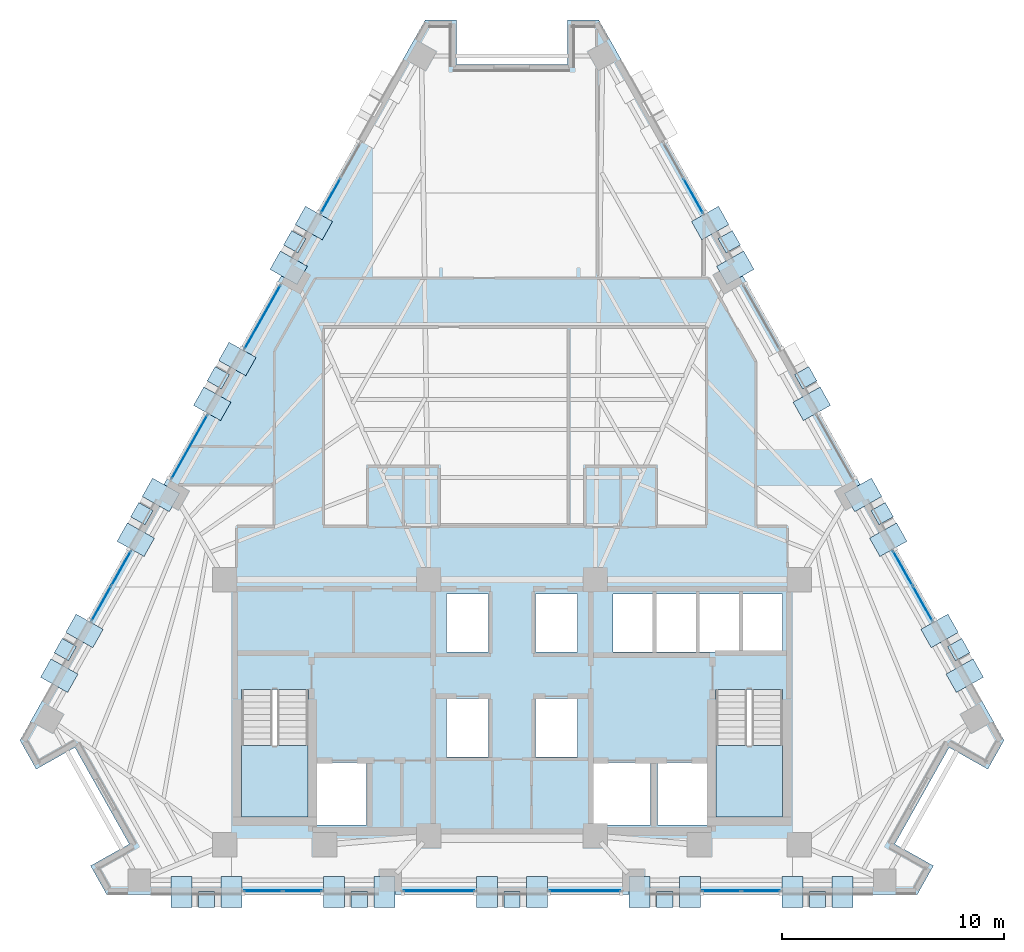
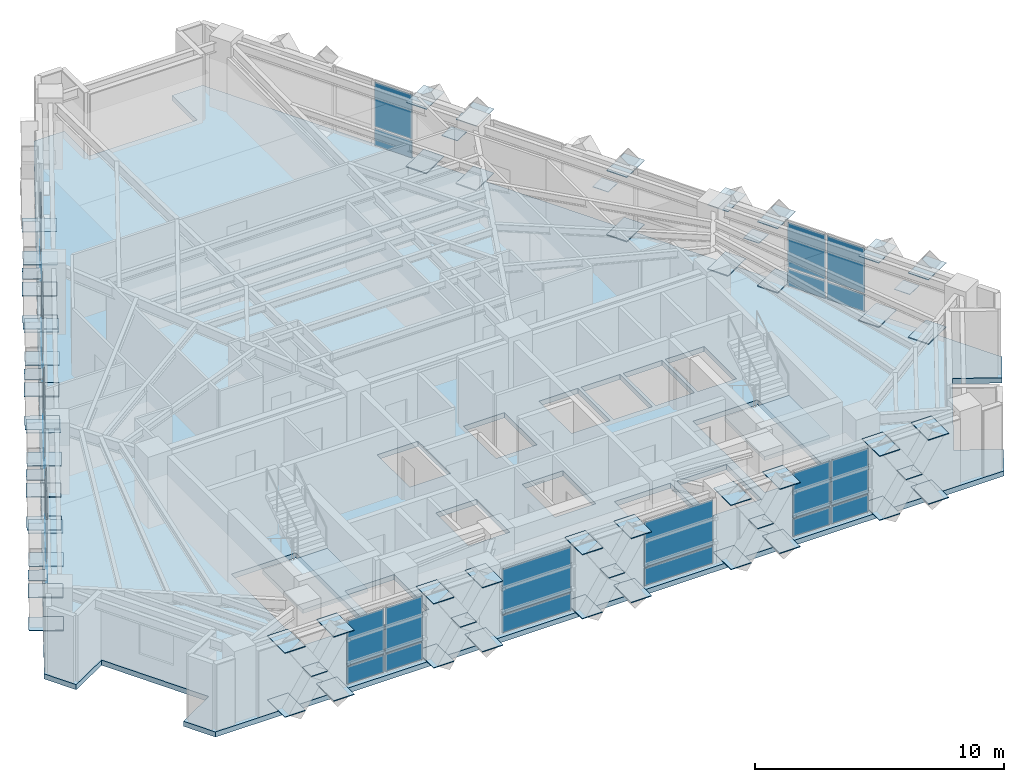
# One storey, part 6 of 14: 91 plates, 3 slabs, 12 elements without a shape of their own.
"""IFC4 building model written with IfcOpenShell, lengths in metres."""

from ifc_helpers import new_model, si_unit, direction, frame, origin, origin_2d, place, context, subcontext, project, spatial, polyline, rectangle, outline, extrude, material, layer, layer_set, type_object, element, aggregate, save


model = new_model("IFC4")

# Units and contexts
model_context = context("Model", 3, precision=1e-05, world=origin(), true_north=direction((0.0, 1.0)))
body_context = subcontext(model_context, "Body", "Model", "MODEL_VIEW")
ifc_project = project(units=[si_unit("LENGTHUNIT", "METRE"), si_unit("AREAUNIT", "SQUARE_METRE"), si_unit("VOLUMEUNIT", "CUBIC_METRE"), si_unit("PLANEANGLEUNIT", "RADIAN"), si_unit("MASSUNIT", "GRAM", prefix="KILO")], contexts=[model_context])

# Site, building, storey
site_placement = place(None, origin())
site = spatial("IfcSite", under=ifc_project, at=site_placement, CompositionType="ELEMENT")
building_placement = place(site_placement, origin())
building = spatial("IfcBuilding", under=site, at=building_placement, Name="Quenlor Broadcast Tower", CompositionType="ELEMENT")
storey_placement = place(building_placement, frame((0.0, 0.0, 154.5)))
storey = spatial("IfcBuildingStorey", under=building, at=storey_placement, Name="L42", CompositionType="ELEMENT", Elevation=154.5)

# Curtain wall, plates
ifc_material_1 = material(Name="Architectural Terracotta and Low-E Glazing", Category="masonry")
curtain_wall_type = type_object("IfcCurtainWallType", Name="Unitised Terracotta Curtain Wall System Z3", PredefinedType="NOTDEFINED", material=ifc_material_1)
curtain_wall_1_placement = place(storey_placement, origin())
curtain_wall_1 = element("IfcCurtainWall", 1, at=curtain_wall_1_placement, inside=storey, type_object=curtain_wall_type, Name="L42 Curtain Wall CW3 (L42-SA-G1)", PredefinedType="NOTDEFINED")
ifc_material_2 = material(Name="Double Glazed Low-E Solar Glass", Category="glass")
ifc_layer_1 = layer(ifc_material_2, 0.028076171875)
ifc_layer_set_1 = layer_set([ifc_layer_1], Name="CW3 Double Glazed Vision Panel 28")
plate_type_1 = type_object("IfcPlateType", Name="CW3 Double Glazed Vision Panel 28", PredefinedType="CURTAIN_PANEL", material=ifc_layer_set_1)
plate_1_placement = place(storey_placement, frame((11.222900390625, -18.824951171875, 0.06982421875), z_axis=(0.0, 0.0, 1.0), x_axis=(-1.0, 0.0, 0.0)))
plate_1 = element("IfcPlate", 2, at=plate_1_placement, type_object=plate_type_1, Name="CW3 panel 1.1", PredefinedType="CURTAIN_PANEL", context=body_context, shape_type="SweptSolid", body=[
    extrude(rectangle(XDim=1.7119140625, YDim=0.028076171875, at=origin_2d()), origin(), (0.0, 0.0, 1.0), 0.844970703125),
])
plate_2_placement = place(storey_placement, frame((11.222900390625, -18.824951171875, 0.98486328125), z_axis=(0.0, 0.0, 1.0), x_axis=(-1.0, 0.0, 0.0)))
plate_2 = element("IfcPlate", 3, at=plate_2_placement, type_object=plate_type_1, Name="CW3 panel 1.2", PredefinedType="CURTAIN_PANEL", context=body_context, shape_type="SweptSolid", body=[
    extrude(rectangle(XDim=1.7119140625, YDim=0.028076171875, at=origin_2d()), origin(), (0.0, 0.0, 1.0), 2.195068359375),
])
plate_3_placement = place(storey_placement, frame((9.44091796875, -18.824951171875, 0.06982421875), z_axis=(0.0, 0.0, 1.0), x_axis=(-1.0, 0.0, 0.0)))
plate_3 = element("IfcPlate", 4, at=plate_3_placement, type_object=plate_type_1, Name="CW3 panel 2.1", PredefinedType="CURTAIN_PANEL", context=body_context, shape_type="SweptSolid", body=[
    extrude(rectangle(XDim=1.7119140625, YDim=0.028076171875, at=origin_2d()), origin(), (0.0, 0.0, 1.0), 0.844970703125),
])
plate_4_placement = place(storey_placement, frame((9.44091796875, -18.824951171875, 0.98486328125), z_axis=(0.0, 0.0, 1.0), x_axis=(-1.0, 0.0, 0.0)))
plate_4 = element("IfcPlate", 5, at=plate_4_placement, type_object=plate_type_1, Name="CW3 panel 2.2", PredefinedType="CURTAIN_PANEL", context=body_context, shape_type="SweptSolid", body=[
    extrude(rectangle(XDim=1.7119140625, YDim=0.028076171875, at=origin_2d()), origin(), (0.0, 0.0, 1.0), 2.195068359375),
])
aggregate(curtain_wall_1, [plate_1, plate_2, plate_3, plate_4])

curtain_wall_2_placement = place(storey_placement, origin())
curtain_wall_2 = element("IfcCurtainWall", 6, at=curtain_wall_2_placement, inside=storey, type_object=curtain_wall_type, Name="L42 Curtain Wall CW3 (L42-SC-G1)", PredefinedType="NOTDEFINED")
plate_5_placement = place(storey_placement, frame((-9.44091796875, -18.824951171875, 0.06982421875), z_axis=(0.0, 0.0, 1.0), x_axis=(-1.0, 0.0, 0.0)))
plate_5 = element("IfcPlate", 7, at=plate_5_placement, type_object=plate_type_1, Name="CW3 panel 1.1", PredefinedType="CURTAIN_PANEL", context=body_context, shape_type="SweptSolid", body=[
    extrude(rectangle(XDim=1.7119140625, YDim=0.028076171875, at=origin_2d()), origin(), (0.0, 0.0, 1.0), 0.844970703125),
])
plate_6_placement = place(storey_placement, frame((-9.44091796875, -18.824951171875, 0.98486328125), z_axis=(0.0, 0.0, 1.0), x_axis=(-1.0, 0.0, 0.0)))
plate_6 = element("IfcPlate", 8, at=plate_6_placement, type_object=plate_type_1, Name="CW3 panel 1.2", PredefinedType="CURTAIN_PANEL", context=body_context, shape_type="SweptSolid", body=[
    extrude(rectangle(XDim=1.7119140625, YDim=0.028076171875, at=origin_2d()), origin(), (0.0, 0.0, 1.0), 2.195068359375),
])
plate_7_placement = place(storey_placement, frame((-11.222900390625, -18.824951171875, 0.06982421875), z_axis=(0.0, 0.0, 1.0), x_axis=(-1.0, 0.0, 0.0)))
plate_7 = element("IfcPlate", 9, at=plate_7_placement, type_object=plate_type_1, Name="CW3 panel 2.1", PredefinedType="CURTAIN_PANEL", context=body_context, shape_type="SweptSolid", body=[
    extrude(rectangle(XDim=1.7119140625, YDim=0.028076171875, at=origin_2d()), origin(), (0.0, 0.0, 1.0), 0.844970703125),
])
plate_8_placement = place(storey_placement, frame((-11.222900390625, -18.824951171875, 0.98486328125), z_axis=(0.0, 0.0, 1.0), x_axis=(-1.0, 0.0, 0.0)))
plate_8 = element("IfcPlate", 10, at=plate_8_placement, type_object=plate_type_1, Name="CW3 panel 2.2", PredefinedType="CURTAIN_PANEL", context=body_context, shape_type="SweptSolid", body=[
    extrude(rectangle(XDim=1.7119140625, YDim=0.028076171875, at=origin_2d()), origin(), (0.0, 0.0, 1.0), 2.195068359375),
])
aggregate(curtain_wall_2, [plate_5, plate_6, plate_7, plate_8])

curtain_wall_3_placement = place(storey_placement, origin())
curtain_wall_3 = element("IfcCurtainWall", 11, at=curtain_wall_3_placement, inside=storey, type_object=curtain_wall_type, Name="L42 Curtain Wall CW3 (L42-S-G1)", PredefinedType="NOTDEFINED")
plate_9_placement = place(storey_placement, frame((3.2939453125, -18.824951171875, 0.06982421875), z_axis=(0.0, 0.0, 1.0), x_axis=(-1.0, 0.0, 0.0)))
plate_9 = element("IfcPlate", 12, at=plate_9_placement, type_object=plate_type_1, Name="CW3 panel 1.1", PredefinedType="CURTAIN_PANEL", context=body_context, shape_type="SweptSolid", body=[
    extrude(rectangle(XDim=3.194091796875, YDim=0.028076171875, at=origin_2d()), origin(), (0.0, 0.0, 1.0), 0.844970703125),
])
plate_10_placement = place(storey_placement, frame((3.2939453125, -18.824951171875, 0.98486328125), z_axis=(0.0, 0.0, 1.0), x_axis=(-1.0, 0.0, 0.0)))
plate_10 = element("IfcPlate", 13, at=plate_10_placement, type_object=plate_type_1, Name="CW3 panel 1.2", PredefinedType="CURTAIN_PANEL", context=body_context, shape_type="SweptSolid", body=[
    extrude(rectangle(XDim=3.194091796875, YDim=0.028076171875, at=origin_2d()), origin(), (0.0, 0.0, 1.0), 2.195068359375),
])
aggregate(curtain_wall_3, [plate_9, plate_10])

curtain_wall_4_placement = place(storey_placement, origin())
curtain_wall_4 = element("IfcCurtainWall", 14, at=curtain_wall_4_placement, inside=storey, type_object=curtain_wall_type, Name="L42 Curtain Wall CW3 (L42-S-G2)", PredefinedType="NOTDEFINED")
plate_11_placement = place(storey_placement, frame((-3.2939453125, -18.824951171875, 0.06982421875), z_axis=(0.0, 0.0, 1.0), x_axis=(-1.0, 0.0, 0.0)))
plate_11 = element("IfcPlate", 15, at=plate_11_placement, type_object=plate_type_1, Name="CW3 panel 1.1", PredefinedType="CURTAIN_PANEL", context=body_context, shape_type="SweptSolid", body=[
    extrude(rectangle(XDim=3.194091796875, YDim=0.028076171875, at=origin_2d()), origin(), (0.0, 0.0, 1.0), 0.844970703125),
])
plate_12_placement = place(storey_placement, frame((-3.2939453125, -18.824951171875, 0.98486328125), z_axis=(0.0, 0.0, 1.0), x_axis=(-1.0, 0.0, 0.0)))
plate_12 = element("IfcPlate", 16, at=plate_12_placement, type_object=plate_type_1, Name="CW3 panel 1.2", PredefinedType="CURTAIN_PANEL", context=body_context, shape_type="SweptSolid", body=[
    extrude(rectangle(XDim=3.194091796875, YDim=0.028076171875, at=origin_2d()), origin(), (0.0, 0.0, 1.0), 2.195068359375),
])
aggregate(curtain_wall_4, [plate_11, plate_12])

curtain_wall_5_placement = place(storey_placement, origin())
curtain_wall_5 = element("IfcCurtainWall", 17, at=curtain_wall_5_placement, inside=storey, type_object=curtain_wall_type, Name="L42 Curtain Wall CW3 (L42-NEA-G1)", PredefinedType="NOTDEFINED")
plate_13_placement = place(storey_placement, frame((8.174560546875, 12.5107421875, 0.06982421875), z_axis=(0.0, 0.0, 1.0), x_axis=(0.490270139949, -0.871570530637, 0.0)))
plate_13 = element("IfcPlate", 18, at=plate_13_placement, type_object=plate_type_1, Name="CW3 panel 2.1", PredefinedType="CURTAIN_PANEL", context=body_context, shape_type="SweptSolid", body=[
    extrude(rectangle(XDim=1.761962890625, YDim=0.028076171875, at=origin_2d()), origin(), (0.0, 0.0, 1.0), 0.844970703125),
])
plate_14_placement = place(storey_placement, frame((8.174560546875, 12.5107421875, 0.98486328125), z_axis=(0.0, 0.0, 1.0), x_axis=(0.490270139949, -0.871570530637, 0.0)))
plate_14 = element("IfcPlate", 19, at=plate_14_placement, type_object=plate_type_1, Name="CW3 panel 2.2", PredefinedType="CURTAIN_PANEL", context=body_context, shape_type="SweptSolid", body=[
    extrude(rectangle(XDim=1.761962890625, YDim=0.028076171875, at=origin_2d()), origin(), (0.0, 0.0, 1.0), 2.195068359375),
])
aggregate(curtain_wall_5, [plate_13, plate_14])

curtain_wall_6_placement = place(storey_placement, origin())
curtain_wall_6 = element("IfcCurtainWall", 20, at=curtain_wall_6_placement, inside=storey, type_object=curtain_wall_type, Name="L42 Curtain Wall CW3 (L42-NEC-G1)", PredefinedType="NOTDEFINED")
plate_15_placement = place(storey_placement, frame((17.62060546875, -4.2822265625, 0.06982421875), z_axis=(0.0, 0.0, 1.0), x_axis=(0.490258696743, -0.871576967495, 0.0)))
plate_15 = element("IfcPlate", 21, at=plate_15_placement, type_object=plate_type_1, Name="CW3 panel 1.1", PredefinedType="CURTAIN_PANEL", context=body_context, shape_type="SweptSolid", body=[
    extrude(rectangle(XDim=1.761962890625, YDim=0.028076171875, at=origin_2d()), origin(), (0.0, 0.0, 1.0), 0.844970703125),
])
plate_16_placement = place(storey_placement, frame((17.62060546875, -4.2822265625, 0.98486328125), z_axis=(0.0, 0.0, 1.0), x_axis=(0.490258696743, -0.871576967495, 0.0)))
plate_16 = element("IfcPlate", 22, at=plate_16_placement, type_object=plate_type_1, Name="CW3 panel 1.2", PredefinedType="CURTAIN_PANEL", context=body_context, shape_type="SweptSolid", body=[
    extrude(rectangle(XDim=1.761962890625, YDim=0.028076171875, at=origin_2d()), origin(), (0.0, 0.0, 1.0), 2.195068359375),
])
plate_17_placement = place(storey_placement, frame((18.518798828125, -5.879150390625, 0.06982421875), z_axis=(0.0, 0.0, 1.0), x_axis=(0.490258696743, -0.871576967495, 0.0)))
plate_17 = element("IfcPlate", 23, at=plate_17_placement, type_object=plate_type_1, Name="CW3 panel 2.1", PredefinedType="CURTAIN_PANEL", context=body_context, shape_type="SweptSolid", body=[
    extrude(rectangle(XDim=1.761962890625, YDim=0.028076171875, at=origin_2d()), origin(), (0.0, 0.0, 1.0), 0.844970703125),
])
plate_18_placement = place(storey_placement, frame((18.518798828125, -5.879150390625, 0.98486328125), z_axis=(0.0, 0.0, 1.0), x_axis=(0.490258696743, -0.871576967495, 0.0)))
plate_18 = element("IfcPlate", 24, at=plate_18_placement, type_object=plate_type_1, Name="CW3 panel 2.2", PredefinedType="CURTAIN_PANEL", context=body_context, shape_type="SweptSolid", body=[
    extrude(rectangle(XDim=1.761962890625, YDim=0.028076171875, at=origin_2d()), origin(), (0.0, 0.0, 1.0), 2.195068359375),
])
aggregate(curtain_wall_6, [plate_15, plate_16, plate_17, plate_18])

curtain_wall_7_placement = place(storey_placement, origin())
curtain_wall_7 = element("IfcCurtainWall", 25, at=curtain_wall_7_placement, inside=storey, type_object=curtain_wall_type, Name="L42 Curtain Wall CW3 (L42-NWA-G1)", PredefinedType="NOTDEFINED")
plate_19_placement = place(storey_placement, frame((-18.518798828125, -5.879150390625, 0.06982421875), z_axis=(0.0, 0.0, 1.0), x_axis=(0.490258696743, 0.871576967495, 0.0)))
plate_19 = element("IfcPlate", 26, at=plate_19_placement, type_object=plate_type_1, Name="CW3 panel 1.1", PredefinedType="CURTAIN_PANEL", context=body_context, shape_type="SweptSolid", body=[
    extrude(rectangle(XDim=1.761962890625, YDim=0.028076171875, at=origin_2d()), origin(), (0.0, 0.0, 1.0), 0.844970703125),
])
plate_20_placement = place(storey_placement, frame((-18.518798828125, -5.879150390625, 0.98486328125), z_axis=(0.0, 0.0, 1.0), x_axis=(0.490258696743, 0.871576967495, 0.0)))
plate_20 = element("IfcPlate", 27, at=plate_20_placement, type_object=plate_type_1, Name="CW3 panel 1.2", PredefinedType="CURTAIN_PANEL", context=body_context, shape_type="SweptSolid", body=[
    extrude(rectangle(XDim=1.761962890625, YDim=0.028076171875, at=origin_2d()), origin(), (0.0, 0.0, 1.0), 2.195068359375),
])
plate_21_placement = place(storey_placement, frame((-17.62060546875, -4.2822265625, 0.06982421875), z_axis=(0.0, 0.0, 1.0), x_axis=(0.490258696743, 0.871576967495, 0.0)))
plate_21 = element("IfcPlate", 28, at=plate_21_placement, type_object=plate_type_1, Name="CW3 panel 2.1", PredefinedType="CURTAIN_PANEL", context=body_context, shape_type="SweptSolid", body=[
    extrude(rectangle(XDim=1.761962890625, YDim=0.028076171875, at=origin_2d()), origin(), (0.0, 0.0, 1.0), 0.844970703125),
])
plate_22_placement = place(storey_placement, frame((-17.62060546875, -4.2822265625, 0.98486328125), z_axis=(0.0, 0.0, 1.0), x_axis=(0.490258696743, 0.871576967495, 0.0)))
plate_22 = element("IfcPlate", 29, at=plate_22_placement, type_object=plate_type_1, Name="CW3 panel 2.2", PredefinedType="CURTAIN_PANEL", context=body_context, shape_type="SweptSolid", body=[
    extrude(rectangle(XDim=1.761962890625, YDim=0.028076171875, at=origin_2d()), origin(), (0.0, 0.0, 1.0), 2.195068359375),
])
aggregate(curtain_wall_7, [plate_19, plate_20, plate_21, plate_22])

curtain_wall_8_placement = place(storey_placement, origin())
curtain_wall_8 = element("IfcCurtainWall", 30, at=curtain_wall_8_placement, inside=storey, type_object=curtain_wall_type, Name="L42 Curtain Wall CW3 (L42-NWC-G1)", PredefinedType="NOTDEFINED")
plate_23_placement = place(storey_placement, frame((-8.174560546875, 12.5107421875, 0.06982421875), z_axis=(0.0, 0.0, 1.0), x_axis=(0.490270139949, 0.871570530637, 0.0)))
plate_23 = element("IfcPlate", 31, at=plate_23_placement, type_object=plate_type_1, Name="CW3 panel 1.1", PredefinedType="CURTAIN_PANEL", context=body_context, shape_type="SweptSolid", body=[
    extrude(rectangle(XDim=1.761962890625, YDim=0.028076171875, at=origin_2d()), origin(), (0.0, 0.0, 1.0), 0.844970703125),
])
plate_24_placement = place(storey_placement, frame((-8.174560546875, 12.5107421875, 0.98486328125), z_axis=(0.0, 0.0, 1.0), x_axis=(0.490270139949, 0.871570530637, 0.0)))
plate_24 = element("IfcPlate", 32, at=plate_24_placement, type_object=plate_type_1, Name="CW3 panel 1.2", PredefinedType="CURTAIN_PANEL", context=body_context, shape_type="SweptSolid", body=[
    extrude(rectangle(XDim=1.761962890625, YDim=0.028076171875, at=origin_2d()), origin(), (0.0, 0.0, 1.0), 2.195068359375),
])
aggregate(curtain_wall_8, [plate_23, plate_24])

curtain_wall_9_placement = place(storey_placement, origin())
curtain_wall_9 = element("IfcCurtainWall", 33, at=curtain_wall_9_placement, inside=storey, type_object=curtain_wall_type, Name="L42 Curtain Wall CW3 (L42-NW-G1)", PredefinedType="NOTDEFINED")
plate_25_placement = place(storey_placement, frame((-14.544677734375, 1.18603515625, 0.06982421875), z_axis=(0.0, 0.0, 1.0), x_axis=(0.490268180048, 0.871571633105, 0.0)))
plate_25 = element("IfcPlate", 34, at=plate_25_placement, type_object=plate_type_1, Name="CW3 panel 1.1", PredefinedType="CURTAIN_PANEL", context=body_context, shape_type="SweptSolid", body=[
    extrude(rectangle(XDim=3.2802734375, YDim=0.028076171875, at=origin_2d()), origin(), (0.0, 0.0, 1.0), 0.844970703125),
])
plate_26_placement = place(storey_placement, frame((-14.544677734375, 1.18603515625, 0.98486328125), z_axis=(0.0, 0.0, 1.0), x_axis=(0.490268180048, 0.871571633105, 0.0)))
plate_26 = element("IfcPlate", 35, at=plate_26_placement, type_object=plate_type_1, Name="CW3 panel 1.2", PredefinedType="CURTAIN_PANEL", context=body_context, shape_type="SweptSolid", body=[
    extrude(rectangle(XDim=3.2802734375, YDim=0.028076171875, at=origin_2d()), origin(), (0.0, 0.0, 1.0), 2.195068359375),
])
aggregate(curtain_wall_9, [plate_25, plate_26])

curtain_wall_10_placement = place(storey_placement, origin())
curtain_wall_10 = element("IfcCurtainWall", 36, at=curtain_wall_10_placement, inside=storey, type_object=curtain_wall_type, Name="L42 Curtain Wall CW3 (L42-NW-G2)", PredefinedType="NOTDEFINED")
plate_27_placement = place(storey_placement, frame((-11.250244140625, 7.04248046875, 0.06982421875), z_axis=(0.0, 0.0, 1.0), x_axis=(0.490255687418, 0.871578660222, 0.0)))
plate_27 = element("IfcPlate", 37, at=plate_27_placement, type_object=plate_type_1, Name="CW3 panel 1.1", PredefinedType="CURTAIN_PANEL", context=body_context, shape_type="SweptSolid", body=[
    extrude(rectangle(XDim=3.280517578125, YDim=0.028076171875, at=origin_2d()), origin(), (0.0, 0.0, 1.0), 0.844970703125),
])
plate_28_placement = place(storey_placement, frame((-11.250244140625, 7.04248046875, 0.98486328125), z_axis=(0.0, 0.0, 1.0), x_axis=(0.490255687418, 0.871578660222, 0.0)))
plate_28 = element("IfcPlate", 38, at=plate_28_placement, type_object=plate_type_1, Name="CW3 panel 1.2", PredefinedType="CURTAIN_PANEL", context=body_context, shape_type="SweptSolid", body=[
    extrude(rectangle(XDim=3.280517578125, YDim=0.028076171875, at=origin_2d()), origin(), (0.0, 0.0, 1.0), 2.195068359375),
])
aggregate(curtain_wall_10, [plate_27, plate_28])

# Plates
ifc_material_3 = material(Name="Steel S355", Category="steel")
ifc_layer_2 = layer(ifc_material_3, 0.028076171875)
ifc_layer_set_2 = layer_set([ifc_layer_2], Name="Perimeter Lattice Node Steel S355 Cap Plate 740x740x28")
plate_type_2 = type_object("IfcPlateType", Name="Perimeter Lattice Node Steel S355 Cap Plate 740x740x28", PredefinedType="USERDEFINED", material=ifc_layer_set_2)
for number, where, z_axis, x_axis, name in (
    (39, (13.77587890625, -19.219970703125, 1.61572265625), (0.0, 0.0, 1.0), (-1.0, 0.0, 0.0), "L42 Diamond Lattice Crossing Node S-C1"),
    (40, (6.887939453125, -19.219970703125, 1.61572265625), (0.0, 0.0, 1.0), (-1.0, 0.0, 0.0), "L42 Diamond Lattice Crossing Node S-C2"),
    (41, (0.0, -19.219970703125, 1.61572265625), (0.0, 0.0, 1.0), (-1.0, 0.0, 0.0), "L42 Diamond Lattice Crossing Node S-C3"),
    (42, (-6.887939453125, -19.219970703125, 1.61572265625), (0.0, 0.0, 1.0), (-1.0, 0.0, 0.0), "L42 Diamond Lattice Crossing Node S-C4"),
    (43, (-13.77587890625, -19.219970703125, 1.61572265625), (0.0, 0.0, 1.0), (-1.0, 0.0, 0.0), "L42 Diamond Lattice Crossing Node S-C5"),
    (44, (9.793701171875, 10.437744140625, 1.61572265625), (0.0, 0.0, 1.0), (0.490295412055, -0.871556314255, 0.0), "L42 Diamond Lattice Crossing Node NE-C2"),
    (45, (13.24169921875, 4.307861328125, 1.61572265625), (0.0, 0.0, 1.0), (0.490295412055, -0.871556314255, 0.0), "L42 Diamond Lattice Crossing Node NE-C3"),
    (46, (16.689697265625, -1.822021484375, 1.61572265625), (0.0, 0.0, 1.0), (0.490295412055, -0.871556314255, 0.0), "L42 Diamond Lattice Crossing Node NE-C4"),
    (47, (20.137939453125, -7.951904296875, 1.61572265625), (0.0, 0.0, 1.0), (0.490295412055, -0.871556314255, 0.0), "L42 Diamond Lattice Crossing Node NE-C5"),
    (48, (-20.137939453125, -7.951904296875, 1.61572265625), (0.0, 0.0, 1.0), (0.490295412055, 0.871556314255, 0.0), "L42 Diamond Lattice Crossing Node NW-C1"),
    (49, (-16.689697265625, -1.822021484375, 1.61572265625), (0.0, 0.0, 1.0), (0.490295412055, 0.871556314255, 0.0), "L42 Diamond Lattice Crossing Node NW-C2"),
    (50, (-13.24169921875, 4.307861328125, 1.61572265625), (0.0, 0.0, 1.0), (0.490295412055, 0.871556314255, 0.0), "L42 Diamond Lattice Crossing Node NW-C3"),
    (51, (-9.793701171875, 10.437744140625, 1.61572265625), (0.0, 0.0, 1.0), (0.490295412055, 0.871556314255, 0.0), "L42 Diamond Lattice Crossing Node NW-C4"),
):
    element("IfcPlate", number, at=place(storey_placement, frame(where, z_axis=z_axis, x_axis=x_axis)), inside=storey, type_object=plate_type_2, Name=name, ObjectType="CAP PLATE", PredefinedType="USERDEFINED", context=body_context, shape_type="SweptSolid", body=[
        extrude(rectangle(XDim=0.739990234375, YDim=0.739990234375, at=origin_2d()), origin(), (0.0, 0.0, 1.0), 0.028076171875),
    ])

# Stair, slab
ifc_material_4 = material(Name="Precast concrete C40/50", Category="concrete")
stair_type = type_object("IfcStairType", Name="Precast Concrete C40/50 Dogleg Stair H350", PredefinedType="HALF_TURN_STAIR", material=ifc_material_4)
stair_1_placement = place(storey_placement, origin())
stair_1 = element("IfcStair", 52, at=stair_1_placement, inside=storey, type_object=stair_type, Name="L42 West Core Fire-Isolated Exit Stair ST-1", PredefinedType="HALF_TURN_STAIR")
ifc_material_5 = material(Name="Precast concrete C40/50", Category="concrete")
ifc_layer_3 = layer(ifc_material_5, 0.199951171875)
ifc_layer_set_3 = layer_set([ifc_layer_3], Name="Precast Concrete C40/50 Stair Landing Slab 200")
slab_type_1 = type_object("IfcSlabType", Name="Precast Concrete C40/50 Stair Landing Slab 200", PredefinedType="LANDING", material=ifc_layer_set_3)
slab_1_placement = place(storey_placement, frame((0.0, 0.0, 1.550048828125)))
slab_1 = element("IfcSlab", 53, at=slab_1_placement, type_object=slab_type_1, Name="ST-1 landing 1", PredefinedType="LANDING", context=body_context, shape_type="SweptSolid", body=[
    extrude(outline(polyline([(-12.199951171875, -12.27001953125), (-12.199951171875, -15.5), (-9.199951171875, -15.5), (-9.199951171875, -12.27001953125), (-12.199951171875, -12.27001953125)])), origin(), (0.0, 0.0, 1.0), 0.199951171875),
])
aggregate(stair_1, [slab_1])

stair_2_placement = place(storey_placement, origin())
stair_2 = element("IfcStair", 54, at=stair_2_placement, inside=storey, type_object=stair_type, Name="L42 East Core Fire-Isolated Exit Stair ST-2", PredefinedType="HALF_TURN_STAIR")
slab_2_placement = place(storey_placement, frame((0.0, 0.0, 1.550048828125)))
slab_2 = element("IfcSlab", 55, at=slab_2_placement, type_object=slab_type_1, Name="ST-2 landing 1", PredefinedType="LANDING", context=body_context, shape_type="SweptSolid", body=[
    extrude(outline(polyline([(9.199951171875, -12.27001953125), (9.199951171875, -15.5), (12.199951171875, -15.5), (12.199951171875, -12.27001953125), (9.199951171875, -12.27001953125)])), origin(), (0.0, 0.0, 1.0), 0.199951171875),
])
aggregate(stair_2, [slab_2])

# Slab
ifc_material_6 = material(Name="Concrete C40/50", Category="concrete")
ifc_layer_4 = layer(ifc_material_6, 0.25)
ifc_layer_set_4 = layer_set([ifc_layer_4], Name="Tower Composite Concrete C40/50 Slab 250")
slab_type_2 = type_object("IfcSlabType", Name="Tower Composite Concrete C40/50 Slab 250", PredefinedType="FLOOR", material=ifc_layer_set_4)
slab_3_placement = place(storey_placement, frame((0.0, 0.0, -0.25)))
element("IfcSlab", 56, at=slab_3_placement, inside=storey, type_object=slab_type_2, Name="L42 Structural Floor Slab", PredefinedType="FLOOR", context=body_context, shape_type="SweptSolid", body=[
    extrude(outline(polyline([(18.27001953125, -19.0), (19.001708984375, -17.698974609375), (17.2587890625, -16.718505859375), (19.7099609375, -12.360595703125), (21.453125, -13.341064453125), (22.18505859375, -12.0400390625), (3.9150390625, 20.43994140625), (2.5, 20.43994140625), (2.5, 18.43994140625), (-2.5, 18.43994140625), (-2.5, 20.43994140625), (-3.9150390625, 20.43994140625), (-22.18505859375, -12.0400390625), (-21.453125, -13.341064453125), (-19.7099609375, -12.360595703125), (-17.2587890625, -16.718505859375), (-19.001708984375, -17.698974609375), (-18.27001953125, -19.0), (18.27001953125, -19.0)]), holes=[polyline([(-12.199951171875, -9.758056640625), (-12.199951171875, -15.5), (-9.199951171875, -15.5), (-9.199951171875, -9.758056640625), (-12.199951171875, -9.758056640625)]), polyline([(9.199951171875, -9.758056640625), (9.199951171875, -15.5), (12.199951171875, -15.5), (12.199951171875, -9.758056640625), (9.199951171875, -9.758056640625)]), polyline([(-2.949951171875, -8.050048828125), (-1.050048828125, -8.050048828125), (-1.050048828125, -5.449951171875), (-2.949951171875, -5.449951171875), (-2.949951171875, -8.050048828125)]), polyline([(1.050048828125, -8.050048828125), (2.949951171875, -8.050048828125), (2.949951171875, -5.449951171875), (1.050048828125, -5.449951171875), (1.050048828125, -8.050048828125)]), polyline([(-2.949951171875, -12.800048828125), (-1.050048828125, -12.800048828125), (-1.050048828125, -10.14990234375), (-2.949951171875, -10.14990234375), (-2.949951171875, -12.800048828125)]), polyline([(1.050048828125, -12.800048828125), (2.949951171875, -12.800048828125), (2.949951171875, -10.14990234375), (1.050048828125, -10.14990234375), (1.050048828125, -12.800048828125)]), polyline([(4.550048828125, -8.050048828125), (6.35009765625, -8.050048828125), (6.35009765625, -5.449951171875), (4.550048828125, -5.449951171875), (4.550048828125, -8.050048828125)]), polyline([(6.5, -8.050048828125), (8.300048828125, -8.050048828125), (8.300048828125, -5.449951171875), (6.5, -5.449951171875), (6.5, -8.050048828125)]), polyline([(8.449951171875, -8.050048828125), (10.25, -8.050048828125), (10.25, -5.449951171875), (8.449951171875, -5.449951171875), (8.449951171875, -8.050048828125)]), polyline([(10.39990234375, -8.050048828125), (12.199951171875, -8.050048828125), (12.199951171875, -5.449951171875), (10.39990234375, -5.449951171875), (10.39990234375, -8.050048828125)]), polyline([(-8.85009765625, -15.85009765625), (-6.550048828125, -15.85009765625), (-6.550048828125, -13.050048828125), (-8.85009765625, -13.050048828125), (-8.85009765625, -15.85009765625)]), polyline([(6.550048828125, -15.85009765625), (8.85009765625, -15.85009765625), (8.85009765625, -13.050048828125), (6.550048828125, -13.050048828125), (6.550048828125, -15.85009765625)]), polyline([(3.64990234375, -15.85009765625), (6.25, -15.85009765625), (6.25, -13.050048828125), (3.64990234375, -13.050048828125), (3.64990234375, -15.85009765625)])]), origin(), (0.0, 0.0, 1.0), 0.25),
])

# Plates
ifc_material_7 = material(Name="Steel S355", Category="steel")
ifc_layer_5 = layer(ifc_material_7, 0.035888671875)
ifc_layer_set_5 = layer_set([ifc_layer_5], Name="Transfer Truss Steel S355 Gusset Node Plate 1400x950x36")
plate_type_3 = type_object("IfcPlateType", Name="Transfer Truss Steel S355 Gusset Node Plate 1400x950x36", PredefinedType="SHEET", material=ifc_layer_set_5)
for number, where, z_axis, x_axis, name in (
    (57, (14.91015625, -18.885009765625, 0.0419921875), (0.0, 0.0, 1.0), (0.0, -1.0, 0.0), "L42 Lattice Tie Gusset Node S-B1"),
    (58, (12.641845703125, -18.885009765625, 3.18212890625), (0.0, 0.0, 1.0), (0.0, -1.0, 0.0), "L42 Lattice Tie Gusset Node S-T2"),
    (59, (12.641845703125, -18.885009765625, 0.0419921875), (0.0, 0.0, 1.0), (0.0, -1.0, 0.0), "L42 Lattice Tie Gusset Node S-B2"),
    (60, (14.91015625, -18.885009765625, 3.18212890625), (0.0, 0.0, 1.0), (0.0, -1.0, 0.0), "L42 Lattice Tie Gusset Node S-T1"),
    (61, (8.022216796875, -18.885009765625, 0.0419921875), (0.0, 0.0, 1.0), (0.0, -1.0, 0.0), "L42 Lattice Tie Gusset Node S-B4"),
    (62, (5.75390625, -18.885009765625, 3.18212890625), (0.0, 0.0, 1.0), (0.0, -1.0, 0.0), "L42 Lattice Tie Gusset Node S-T5"),
    (63, (5.75390625, -18.885009765625, 0.0419921875), (0.0, 0.0, 1.0), (0.0, -1.0, 0.0), "L42 Lattice Tie Gusset Node S-B5"),
    (64, (8.022216796875, -18.885009765625, 3.18212890625), (0.0, 0.0, 1.0), (0.0, -1.0, 0.0), "L42 Lattice Tie Gusset Node S-T4"),
    (65, (1.13427734375, -18.885009765625, 0.0419921875), (0.0, 0.0, 1.0), (0.0, -1.0, 0.0), "L42 Lattice Tie Gusset Node S-B7"),
    (66, (-1.13427734375, -18.885009765625, 3.18212890625), (0.0, 0.0, 1.0), (0.0, -1.0, 0.0), "L42 Lattice Tie Gusset Node S-T8"),
    (67, (-1.13427734375, -18.885009765625, 0.0419921875), (0.0, 0.0, 1.0), (0.0, -1.0, 0.0), "L42 Lattice Tie Gusset Node S-B8"),
    (68, (1.13427734375, -18.885009765625, 3.18212890625), (0.0, 0.0, 1.0), (0.0, -1.0, 0.0), "L42 Lattice Tie Gusset Node S-T7"),
    (69, (-5.75390625, -18.885009765625, 0.0419921875), (0.0, 0.0, 1.0), (0.0, -1.0, 0.0), "L42 Lattice Tie Gusset Node S-B10"),
    (70, (-8.022216796875, -18.885009765625, 3.18212890625), (0.0, 0.0, 1.0), (0.0, -1.0, 0.0), "L42 Lattice Tie Gusset Node S-T11"),
    (71, (-8.022216796875, -18.885009765625, 0.0419921875), (0.0, 0.0, 1.0), (0.0, -1.0, 0.0), "L42 Lattice Tie Gusset Node S-B11"),
    (72, (-5.75390625, -18.885009765625, 3.18212890625), (0.0, 0.0, 1.0), (0.0, -1.0, 0.0), "L42 Lattice Tie Gusset Node S-T10"),
    (73, (-12.641845703125, -18.885009765625, 0.0419921875), (0.0, 0.0, 1.0), (0.0, -1.0, 0.0), "L42 Lattice Tie Gusset Node S-B13"),
    (74, (-14.91015625, -18.885009765625, 3.18212890625), (0.0, 0.0, 1.0), (0.0, -1.0, 0.0), "L42 Lattice Tie Gusset Node S-T14"),
    (75, (-14.91015625, -18.885009765625, 0.0419921875), (0.0, 0.0, 1.0), (0.0, -1.0, 0.0), "L42 Lattice Tie Gusset Node S-B14"),
    (76, (-12.641845703125, -18.885009765625, 3.18212890625), (0.0, 0.0, 1.0), (0.0, -1.0, 0.0), "L42 Lattice Tie Gusset Node S-T13"),
    (77, (8.933837890625, 11.282958984375, 0.0419921875), (0.0, 0.0, 1.0), (0.871556314255, 0.490295412055, 0.0), "L42 Lattice Tie Gusset Node NE-B4"),
    (78, (10.069580078125, 9.26416015625, 3.18212890625), (0.0, 0.0, 1.0), (0.871556314255, 0.490295412055, 0.0), "L42 Lattice Tie Gusset Node NE-T5"),
    (79, (10.069580078125, 9.26416015625, 0.0419921875), (0.0, 0.0, 1.0), (0.871556314255, 0.490295412055, 0.0), "L42 Lattice Tie Gusset Node NE-B5"),
    (80, (8.933837890625, 11.282958984375, 3.18212890625), (0.0, 0.0, 1.0), (0.871556314255, 0.490295412055, 0.0), "L42 Lattice Tie Gusset Node NE-T4"),
    (81, (13.517578125, 3.13427734375, 3.18212890625), (0.0, 0.0, 1.0), (0.871556314255, 0.490295412055, 0.0), "L42 Lattice Tie Gusset Node NE-T8"),
    (82, (13.517578125, 3.13427734375, 0.0419921875), (0.0, 0.0, 1.0), (0.871556314255, 0.490295412055, 0.0), "L42 Lattice Tie Gusset Node NE-B8"),
    (83, (15.830078125, -0.976806640625, 0.0419921875), (0.0, 0.0, 1.0), (0.871556314255, 0.490295412055, 0.0), "L42 Lattice Tie Gusset Node NE-B10"),
    (84, (16.9658203125, -2.99560546875, 3.18212890625), (0.0, 0.0, 1.0), (0.871556314255, 0.490295412055, 0.0), "L42 Lattice Tie Gusset Node NE-T11"),
    (85, (16.9658203125, -2.99560546875, 0.0419921875), (0.0, 0.0, 1.0), (0.871556314255, 0.490295412055, 0.0), "L42 Lattice Tie Gusset Node NE-B11"),
    (86, (15.830078125, -0.976806640625, 3.18212890625), (0.0, 0.0, 1.0), (0.871556314255, 0.490295412055, 0.0), "L42 Lattice Tie Gusset Node NE-T10"),
    (87, (19.2783203125, -7.10693359375, 0.0419921875), (0.0, 0.0, 1.0), (0.871556314255, 0.490295412055, 0.0), "L42 Lattice Tie Gusset Node NE-B13"),
    (88, (20.413818359375, -9.125732421875, 3.18212890625), (0.0, 0.0, 1.0), (0.871556314255, 0.490295412055, 0.0), "L42 Lattice Tie Gusset Node NE-T14"),
    (89, (20.413818359375, -9.125732421875, 0.0419921875), (0.0, 0.0, 1.0), (0.871556314255, 0.490295412055, 0.0), "L42 Lattice Tie Gusset Node NE-B14"),
    (90, (19.2783203125, -7.10693359375, 3.18212890625), (0.0, 0.0, 1.0), (0.871556314255, 0.490295412055, 0.0), "L42 Lattice Tie Gusset Node NE-T13"),
    (91, (-20.413818359375, -9.125732421875, 0.0419921875), (0.0, 0.0, 1.0), (-0.871556314255, 0.490295412055, 0.0), "L42 Lattice Tie Gusset Node NW-B1"),
    (92, (-19.2783203125, -7.10693359375, 3.18212890625), (0.0, 0.0, 1.0), (-0.871556314255, 0.490295412055, 0.0), "L42 Lattice Tie Gusset Node NW-T2"),
    (93, (-19.2783203125, -7.10693359375, 0.0419921875), (0.0, 0.0, 1.0), (-0.871556314255, 0.490295412055, 0.0), "L42 Lattice Tie Gusset Node NW-B2"),
    (94, (-20.413818359375, -9.125732421875, 3.18212890625), (0.0, 0.0, 1.0), (-0.871556314255, 0.490295412055, 0.0), "L42 Lattice Tie Gusset Node NW-T1"),
    (95, (-16.9658203125, -2.99560546875, 0.0419921875), (0.0, 0.0, 1.0), (-0.871556314255, 0.490295412055, 0.0), "L42 Lattice Tie Gusset Node NW-B4"),
    (96, (-15.830078125, -0.976806640625, 3.18212890625), (0.0, 0.0, 1.0), (-0.871556314255, 0.490295412055, 0.0), "L42 Lattice Tie Gusset Node NW-T5"),
    (97, (-15.830078125, -0.976806640625, 0.0419921875), (0.0, 0.0, 1.0), (-0.871556314255, 0.490295412055, 0.0), "L42 Lattice Tie Gusset Node NW-B5"),
    (98, (-16.9658203125, -2.99560546875, 3.18212890625), (0.0, 0.0, 1.0), (-0.871556314255, 0.490295412055, 0.0), "L42 Lattice Tie Gusset Node NW-T4"),
    (99, (-13.517578125, 3.13427734375, 0.0419921875), (0.0, 0.0, 1.0), (-0.871556314255, 0.490295412055, 0.0), "L42 Lattice Tie Gusset Node NW-B7"),
    (100, (-12.382080078125, 5.153076171875, 3.18212890625), (0.0, 0.0, 1.0), (-0.871556314255, 0.490295412055, 0.0), "L42 Lattice Tie Gusset Node NW-T8"),
    (101, (-12.382080078125, 5.153076171875, 0.0419921875), (0.0, 0.0, 1.0), (-0.871556314255, 0.490295412055, 0.0), "L42 Lattice Tie Gusset Node NW-B8"),
    (102, (-13.517578125, 3.13427734375, 3.18212890625), (0.0, 0.0, 1.0), (-0.871556314255, 0.490295412055, 0.0), "L42 Lattice Tie Gusset Node NW-T7"),
    (103, (-10.069580078125, 9.26416015625, 0.0419921875), (0.0, 0.0, 1.0), (-0.871556314255, 0.490295412055, 0.0), "L42 Lattice Tie Gusset Node NW-B10"),
    (104, (-8.933837890625, 11.282958984375, 3.18212890625), (0.0, 0.0, 1.0), (-0.871556314255, 0.490295412055, 0.0), "L42 Lattice Tie Gusset Node NW-T11"),
    (105, (-8.933837890625, 11.282958984375, 0.0419921875), (0.0, 0.0, 1.0), (-0.871556314255, 0.490295412055, 0.0), "L42 Lattice Tie Gusset Node NW-B11"),
    (106, (-10.069580078125, 9.26416015625, 3.18212890625), (0.0, 0.0, 1.0), (-0.871556314255, 0.490295412055, 0.0), "L42 Lattice Tie Gusset Node NW-T10"),
):
    element("IfcPlate", number, at=place(storey_placement, frame(where, z_axis=z_axis, x_axis=x_axis)), inside=storey, type_object=plate_type_3, Name=name, PredefinedType="SHEET", context=body_context, shape_type="SweptSolid", body=[
        extrude(rectangle(XDim=1.39990234375, YDim=0.949951171875, at=origin_2d()), origin(), (0.0, 0.0, 1.0), 0.035888671875),
    ])

save(model, "model.ifc")
